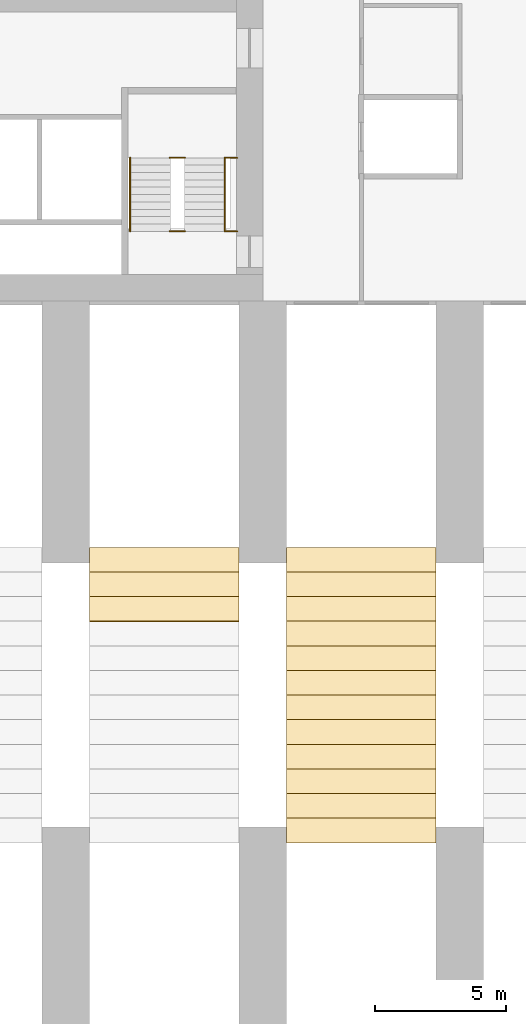
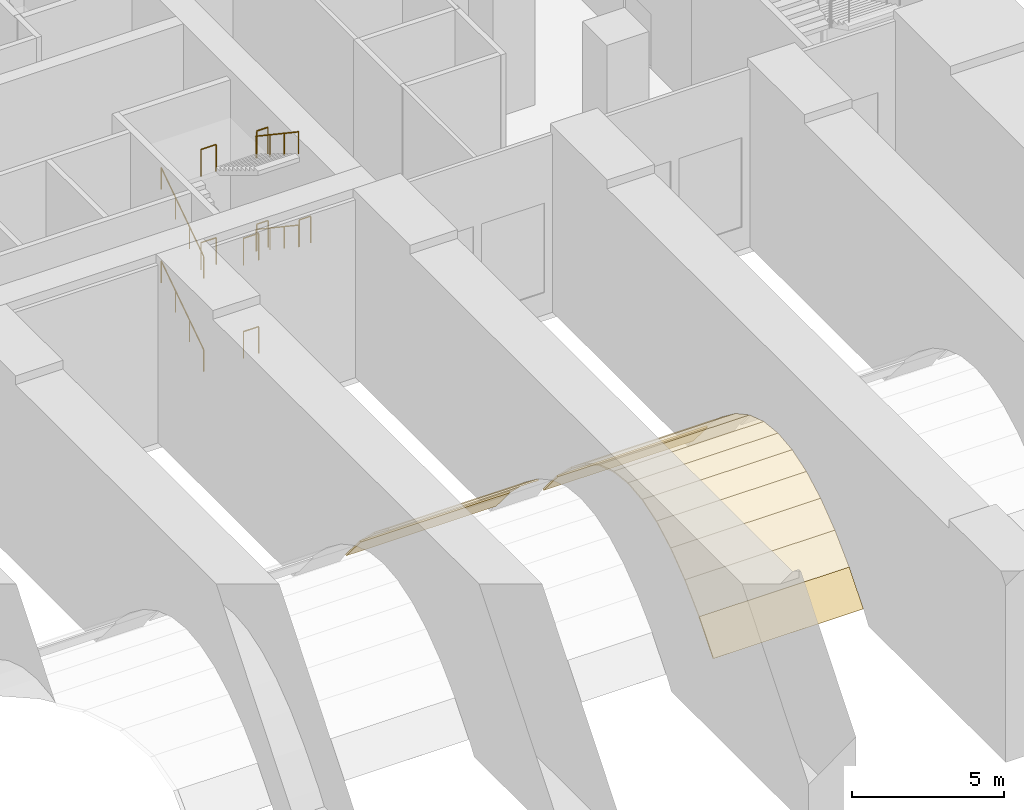
# One storey, part 13 of 15: 15 coverings, 11 railings.
"""IFC4 building model written with IfcOpenShell, lengths in metres."""

from ifc_helpers import new_model, si_unit, direction, frame, origin, origin_2d, place, context, subcontext, project, spatial, polyline, circle, outline, extrude, material, layer, layer_set, type_object, element, save


model = new_model("IFC4")

# Units and contexts
model_context = context("Model", 3, precision=1e-05, world=origin(), true_north=direction((0.0, 1.0)))
body_context = subcontext(model_context, "Body", "Model", "MODEL_VIEW")
ifc_project = project(units=[si_unit("LENGTHUNIT", "METRE"), si_unit("AREAUNIT", "SQUARE_METRE"), si_unit("VOLUMEUNIT", "CUBIC_METRE"), si_unit("PLANEANGLEUNIT", "RADIAN"), si_unit("MASSUNIT", "GRAM", prefix="KILO")], contexts=[model_context])

# Site, building, storey
site_placement = place(None, origin())
site = spatial("IfcSite", under=ifc_project, at=site_placement, CompositionType="ELEMENT")
building_placement = place(site_placement, origin())
building = spatial("IfcBuilding", under=site, at=building_placement, Name="Pilkhan Gate Tower", CompositionType="ELEMENT")
storey_placement = place(building_placement, frame((0.0, 0.0, 16.5)))
storey = spatial("IfcBuildingStorey", under=building, at=storey_placement, Name="L02", CompositionType="ELEMENT", Elevation=16.5)

# Coverings
ifc_material_1 = material(Name="Concrete C40/50 precast", Category="concrete")
ifc_layer = layer(ifc_material_1, 0.06005859375)
ifc_layer_set = layer_set([ifc_layer], Name="Arch soffit panel ARC")
covering_type = type_object("IfcCoveringType", Name="Arch soffit panel ARC", PredefinedType="CLADDING", material=ifc_layer_set)
covering_1_placement = place(storey_placement, frame((83.39990234375, 59.0625, 3.234375), z_axis=(0.0, 0.604899225984, 0.796302032149), x_axis=(1.0, 0.0, 0.0)))
element("IfcCovering", 1, at=covering_1_placement, inside=storey, type_object=covering_type, Name="Arch soffit panel ARC-7.16", PredefinedType="CLADDING", context=body_context, shape_type="SweptSolid", body=[
    extrude(outline(polyline([(0.0, 0.0), (5.7001953125, 0.0), (5.7001953125, 1.1773171009877623), (0.0, 1.1773171009877623), (0.0, 0.0)])), origin(), (0.0, 0.0, -1.0), 0.06005859375),
])
covering_2_placement = place(storey_placement, frame((83.39990234375, 60.0, 2.522216796875), z_axis=(0.0, 0.698672998985, 0.715441150961), x_axis=(1.0, 0.0, 0.0)))
element("IfcCovering", 2, at=covering_2_placement, inside=storey, type_object=covering_type, Name="Arch soffit panel ARC-7.17", PredefinedType="CLADDING", context=body_context, shape_type="SweptSolid", body=[
    extrude(outline(polyline([(0.0, 0.0), (5.7001953125, 0.0), (5.7001953125, 1.3103803139371146), (0.0, 1.3103803139371146), (0.0, 0.0)])), origin(), (0.0, 0.0, -1.0), 0.06005859375),
])
for number, where, z_axis, x_axis, name in (
    (3, (83.39990234375, 60.9375, 1.606689453125), (0.0, 0.766573876706, 0.642156127084), (1.0, 0.0, 0.0), "Arch soffit panel ARC-7.18"),
    (4, (90.89990234375, 50.625, 0.487548828125), (0.0, -0.766573876706, 0.642156127084), (1.0, 0.0, 0.0), "Arch soffit panel ARC-8.7"),
):
    element("IfcCovering", number, at=place(storey_placement, frame(where, z_axis=z_axis, x_axis=x_axis)), inside=storey, type_object=covering_type, Name=name, PredefinedType="CLADDING", context=body_context, shape_type="SweptSolid", body=[
        extrude(outline(polyline([(0.0, 0.0), (5.7001953125, 0.0), (5.7001953125, 1.4599253366269764), (0.0, 1.4599253366269764), (0.0, 0.0)])), origin(), (0.0, 0.0, -1.0), 0.06005859375),
    ])
covering_3_placement = place(storey_placement, frame((90.89990234375, 51.5625, 1.606689453125), z_axis=(0.0, -0.698672998985, 0.715441150961), x_axis=(1.0, 0.0, 0.0)))
element("IfcCovering", 5, at=covering_3_placement, inside=storey, type_object=covering_type, Name="Arch soffit panel ARC-8.8", PredefinedType="CLADDING", context=body_context, shape_type="SweptSolid", body=[
    extrude(outline(polyline([(0.0, 0.0), (5.7001953125, 0.0), (5.7001953125, 1.3103803139371146), (0.0, 1.3103803139371146), (0.0, 0.0)])), origin(), (0.0, 0.0, -1.0), 0.06005859375),
])
covering_4_placement = place(storey_placement, frame((90.89990234375, 52.5, 2.522216796875), z_axis=(0.0, -0.604899225984, 0.796302032149), x_axis=(1.0, 0.0, 0.0)))
element("IfcCovering", 6, at=covering_4_placement, inside=storey, type_object=covering_type, Name="Arch soffit panel ARC-8.9", PredefinedType="CLADDING", context=body_context, shape_type="SweptSolid", body=[
    extrude(outline(polyline([(0.0, 0.0), (5.7001953125, 0.0), (5.7001953125, 1.1773171009877623), (0.0, 1.1773171009877623), (0.0, 0.0)])), origin(), (0.0, 0.0, -1.0), 0.06005859375),
])
covering_5_placement = place(storey_placement, frame((90.89990234375, 53.4375, 3.234375), z_axis=(0.0, -0.476990839795, 0.878908265265), x_axis=(1.0, 0.0, 0.0)))
element("IfcCovering", 7, at=covering_5_placement, inside=storey, type_object=covering_type, Name="Arch soffit panel ARC-8.10", PredefinedType="CLADDING", context=body_context, shape_type="SweptSolid", body=[
    extrude(outline(polyline([(0.0, 0.0), (5.7001953125, 0.0), (5.7001953125, 1.0666642208866055), (0.0, 1.0666642208866055), (0.0, 0.0)])), origin(), (0.0, 0.0, -1.0), 0.06005859375),
])
covering_6_placement = place(storey_placement, frame((90.89990234375, 54.375, 3.7431640625), z_axis=(0.0, -0.309533978689, 0.950888382533), x_axis=(1.0, 0.0, 0.0)))
element("IfcCovering", 8, at=covering_6_placement, inside=storey, type_object=covering_type, Name="Arch soffit panel ARC-8.11", PredefinedType="CLADDING", context=body_context, shape_type="SweptSolid", body=[
    extrude(outline(polyline([(0.0, 0.0), (5.7001953125, 0.0), (5.7001953125, 0.9859201323948852), (0.0, 0.9859201323948852), (0.0, 0.0)])), origin(), (0.0, 0.0, -1.0), 0.06005859375),
])
for number, where, z_axis, x_axis, name in (
    (9, (90.89990234375, 55.3125, 4.04833984375), (0.0, -0.107703168683, 0.994183095539), (1.0, 0.0, 0.0), "Arch soffit panel ARC-8.12"),
    (10, (90.89990234375, 56.25, 4.14990234375), (0.0, 0.107703168683, 0.994183095539), (1.0, 0.0, 0.0), "Arch soffit panel ARC-8.13"),
):
    element("IfcCovering", number, at=place(storey_placement, frame(where, z_axis=z_axis, x_axis=x_axis)), inside=storey, type_object=covering_type, Name=name, PredefinedType="CLADDING", context=body_context, shape_type="SweptSolid", body=[
        extrude(outline(polyline([(0.0, 0.0), (5.7001953125, 0.0), (5.7001953125, 0.9429852551372424), (0.0, 0.9429852551372424), (0.0, 0.0)])), origin(), (0.0, 0.0, -1.0), 0.06005859375),
    ])
covering_7_placement = place(storey_placement, frame((90.89990234375, 57.1875, 4.04833984375), z_axis=(0.0, 0.309533978689, 0.950888382533), x_axis=(1.0, 0.0, 0.0)))
element("IfcCovering", 11, at=covering_7_placement, inside=storey, type_object=covering_type, Name="Arch soffit panel ARC-8.14", PredefinedType="CLADDING", context=body_context, shape_type="SweptSolid", body=[
    extrude(outline(polyline([(0.0, 0.0), (5.7001953125, 0.0), (5.7001953125, 0.9859201323948852), (0.0, 0.9859201323948852), (0.0, 0.0)])), origin(), (0.0, 0.0, -1.0), 0.06005859375),
])
covering_8_placement = place(storey_placement, frame((90.89990234375, 58.125, 3.7431640625), z_axis=(0.0, 0.476990839795, 0.878908265265), x_axis=(1.0, 0.0, 0.0)))
element("IfcCovering", 12, at=covering_8_placement, inside=storey, type_object=covering_type, Name="Arch soffit panel ARC-8.15", PredefinedType="CLADDING", context=body_context, shape_type="SweptSolid", body=[
    extrude(outline(polyline([(0.0, 0.0), (5.7001953125, 0.0), (5.7001953125, 1.0666642208866055), (0.0, 1.0666642208866055), (0.0, 0.0)])), origin(), (0.0, 0.0, -1.0), 0.06005859375),
])
covering_9_placement = place(storey_placement, frame((90.89990234375, 59.0625, 3.234375), z_axis=(0.0, 0.604899225984, 0.796302032149), x_axis=(1.0, 0.0, 0.0)))
element("IfcCovering", 13, at=covering_9_placement, inside=storey, type_object=covering_type, Name="Arch soffit panel ARC-8.16", PredefinedType="CLADDING", context=body_context, shape_type="SweptSolid", body=[
    extrude(outline(polyline([(0.0, 0.0), (5.7001953125, 0.0), (5.7001953125, 1.1773171009877623), (0.0, 1.1773171009877623), (0.0, 0.0)])), origin(), (0.0, 0.0, -1.0), 0.06005859375),
])
covering_10_placement = place(storey_placement, frame((90.89990234375, 60.0, 2.522216796875), z_axis=(0.0, 0.698672998985, 0.715441150961), x_axis=(1.0, 0.0, 0.0)))
element("IfcCovering", 14, at=covering_10_placement, inside=storey, type_object=covering_type, Name="Arch soffit panel ARC-8.17", PredefinedType="CLADDING", context=body_context, shape_type="SweptSolid", body=[
    extrude(outline(polyline([(0.0, 0.0), (5.7001953125, 0.0), (5.7001953125, 1.3103803139371146), (0.0, 1.3103803139371146), (0.0, 0.0)])), origin(), (0.0, 0.0, -1.0), 0.06005859375),
])
covering_11_placement = place(storey_placement, frame((90.89990234375, 60.9375, 1.606689453125), z_axis=(0.0, 0.766573876706, 0.642156127084), x_axis=(1.0, 0.0, 0.0)))
element("IfcCovering", 15, at=covering_11_placement, inside=storey, type_object=covering_type, Name="Arch soffit panel ARC-8.18", PredefinedType="CLADDING", context=body_context, shape_type="SweptSolid", body=[
    extrude(outline(polyline([(0.0, 0.0), (5.7001953125, 0.0), (5.7001953125, 1.4599253366269764), (0.0, 1.4599253366269764), (0.0, 0.0)])), origin(), (0.0, 0.0, -1.0), 0.06005859375),
])

# Railings
ifc_material_2 = material(Name="Black powder-coated steel tube", Category="steel")
railing_type_1 = type_object("IfcRailingType", Name="Stair handrail HR1", PredefinedType="HANDRAIL", material=ifc_material_2)
railing_1_placement = place(storey_placement, frame((84.949951171875, 73.89990234375, 0.0)))
element("IfcRailing", 16, at=railing_1_placement, inside=storey, type_object=railing_type_1, Name="Stair ST1 handrail L02", PredefinedType="HANDRAIL", context=body_context, shape_type="SweptSolid", body=[
    extrude(circle(Radius=0.02392578125, at=origin_2d()), frame((0.0, 0.0, 0.8759765625), z_axis=(0.0, 0.830911662861, 0.55640435703), x_axis=(-1.0, 0.0, 0.0)), (0.0, 0.0, 1.0), 3.369873046875),
    extrude(circle(Radius=0.02099609375, at=origin_2d()), origin(), (0.0, 0.0, 1.0), 0.851806640625),
    extrude(circle(Radius=0.02099609375, at=origin_2d()), frame((0.0, 0.933349609375, 0.625)), (0.0, 0.0, 1.0), 0.851806640625),
    extrude(circle(Radius=0.02099609375, at=origin_2d()), frame((0.0, 1.86669921875, 1.25)), (0.0, 0.0, 1.0), 0.851806640625),
    extrude(circle(Radius=0.02099609375, at=origin_2d()), frame((0.0, 2.800048828125, 1.875)), (0.0, 0.0, 1.0), 0.851806640625),
])
railing_2_placement = place(storey_placement, frame((88.550048828125, 76.699951171875, 1.875)))
element("IfcRailing", 17, at=railing_2_placement, inside=storey, type_object=railing_type_1, Name="Stair ST1 handrail L02", PredefinedType="HANDRAIL", context=body_context, shape_type="SweptSolid", body=[
    extrude(circle(Radius=0.02392578125, at=origin_2d()), frame((0.0, 0.0, 0.8759765625), z_axis=(0.0, -0.830911662861, 0.55640435703), x_axis=(1.0, 0.0, 0.0)), (0.0, 0.0, 1.0), 3.369873046875),
    extrude(circle(Radius=0.02099609375, at=origin_2d()), origin(), (0.0, 0.0, 1.0), 0.851806640625),
    extrude(circle(Radius=0.02099609375, at=origin_2d()), frame((0.0, -0.933349609375, 0.625)), (0.0, 0.0, 1.0), 0.851806640625),
    extrude(circle(Radius=0.02099609375, at=origin_2d()), frame((0.0, -1.86669921875, 1.25)), (0.0, 0.0, 1.0), 0.851806640625),
    extrude(circle(Radius=0.02099609375, at=origin_2d()), frame((0.0, -2.800048828125, 1.875)), (0.0, 0.0, 1.0), 0.851806640625),
])
railing_3_placement = place(storey_placement, frame((84.949951171875, 73.89990234375, 3.75)))
element("IfcRailing", 18, at=railing_3_placement, inside=storey, type_object=railing_type_1, Name="Stair ST1 handrail L02", PredefinedType="HANDRAIL", context=body_context, shape_type="SweptSolid", body=[
    extrude(circle(Radius=0.02392578125, at=origin_2d()), frame((0.0, 0.0, 0.8759765625), z_axis=(0.0, 0.830911662861, 0.55640435703), x_axis=(-1.0, 0.0, 0.0)), (0.0, 0.0, 1.0), 3.369873046875),
    extrude(circle(Radius=0.02099609375, at=origin_2d()), origin(), (0.0, 0.0, 1.0), 0.851806640625),
    extrude(circle(Radius=0.02099609375, at=origin_2d()), frame((0.0, 0.933349609375, 0.625)), (0.0, 0.0, 1.0), 0.851806640625),
    extrude(circle(Radius=0.02099609375, at=origin_2d()), frame((0.0, 1.86669921875, 1.25)), (0.0, 0.0, 1.0), 0.851806640625),
    extrude(circle(Radius=0.02099609375, at=origin_2d()), frame((0.0, 2.800048828125, 1.875)), (0.0, 0.0, 1.0), 0.851806640625),
])
railing_4_placement = place(storey_placement, frame((88.550048828125, 76.699951171875, 5.625)))
element("IfcRailing", 19, at=railing_4_placement, inside=storey, type_object=railing_type_1, Name="Stair ST1 handrail L02", PredefinedType="HANDRAIL", context=body_context, shape_type="SweptSolid", body=[
    extrude(circle(Radius=0.02392578125, at=origin_2d()), frame((0.0, 0.0, 0.8759765625), z_axis=(0.0, -0.830911662861, 0.55640435703), x_axis=(1.0, 0.0, 0.0)), (0.0, 0.0, 1.0), 3.369873046875),
    extrude(circle(Radius=0.02099609375, at=origin_2d()), origin(), (0.0, 0.0, 1.0), 0.851806640625),
    extrude(circle(Radius=0.02099609375, at=origin_2d()), frame((0.0, -0.933349609375, 0.625)), (0.0, 0.0, 1.0), 0.851806640625),
    extrude(circle(Radius=0.02099609375, at=origin_2d()), frame((0.0, -1.86669921875, 1.25)), (0.0, 0.0, 1.0), 0.851806640625),
    extrude(circle(Radius=0.02099609375, at=origin_2d()), frame((0.0, -2.800048828125, 1.875)), (0.0, 0.0, 1.0), 0.851806640625),
])
ifc_material_3 = material(Name="Black powder-coated steel balusters", Category="steel")
railing_type_2 = type_object("IfcRailingType", Name="Stair well guard G3", PredefinedType="GUARDRAIL", material=ifc_material_3)
for number, where, name in (
    (20, (88.580078125, 76.699951171875, 1.875), "Stair ST1 well guard L02"),
    (21, (88.580078125, 73.89990234375, 3.75), "Stair ST1 well guard L02"),
    (22, (88.580078125, 76.699951171875, 5.625), "Stair ST1 well guard L02"),
):
    element("IfcRailing", number, at=place(storey_placement, frame(where)), inside=storey, type_object=railing_type_2, Name=name, PredefinedType="GUARDRAIL", context=body_context, shape_type="SweptSolid", body=[
        extrude(circle(Radius=0.02392578125, at=origin_2d()), frame((0.0, 0.0, 1.076171875), z_axis=(1.0, 0.0, 0.0), x_axis=(0.0, 1.0, 0.0)), (0.0, 0.0, 1.0), 0.43994140625),
        extrude(circle(Radius=0.02099609375, at=origin_2d()), origin(), (0.0, 0.0, 1.0), 1.052001953125),
        extrude(circle(Radius=0.02099609375, at=origin_2d()), frame((0.43994140625, 0.0, 0.0)), (0.0, 0.0, 1.0), 1.052001953125),
    ])
for number, where, name in (
    (23, (86.4599609375, 73.89990234375, 0.0), "Stair ST1 well guard L02"),
    (24, (86.4599609375, 76.699951171875, 1.875), "Stair ST1 well guard L02"),
    (25, (86.4599609375, 73.89990234375, 3.75), "Stair ST1 well guard L02"),
    (26, (86.4599609375, 76.699951171875, 5.625), "Stair ST1 well guard L02"),
):
    element("IfcRailing", number, at=place(storey_placement, frame(where)), inside=storey, type_object=railing_type_2, Name=name, PredefinedType="GUARDRAIL", context=body_context, shape_type="SweptSolid", body=[
        extrude(circle(Radius=0.02392578125, at=origin_2d()), frame((0.0, 0.0, 1.076171875), z_axis=(1.0, 0.0, 0.0), x_axis=(0.0, 1.0, 0.0)), (0.0, 0.0, 1.0), 0.580078125),
        extrude(circle(Radius=0.02099609375, at=origin_2d()), origin(), (0.0, 0.0, 1.0), 1.052001953125),
        extrude(circle(Radius=0.02099609375, at=origin_2d()), frame((0.580078125, 0.0, 0.0)), (0.0, 0.0, 1.0), 1.052001953125),
    ])

save(model, "model.ifc")
